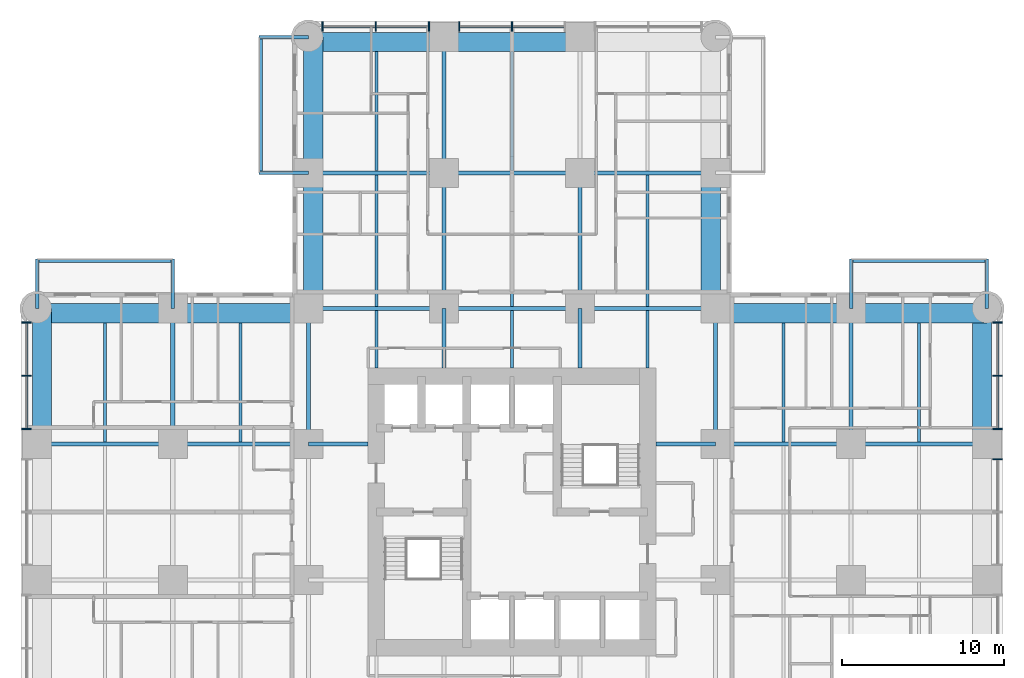
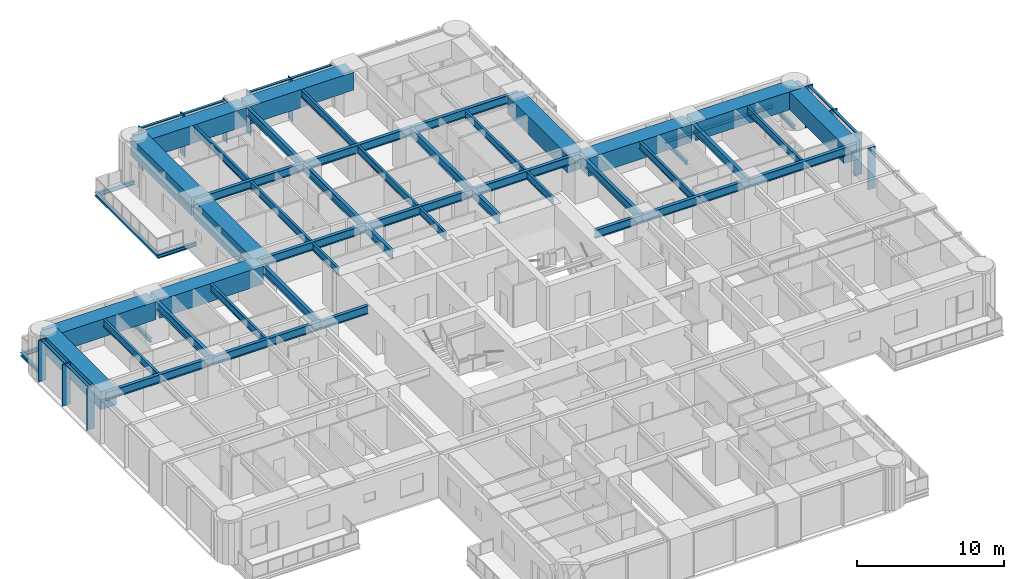
# One storey, part 4 of 17: 53 beams, 20 members, 3 elements without a shape of their own.
"""IFC4 building model written with IfcOpenShell, lengths in metres."""

from ifc_helpers import new_model, si_unit, direction, frame, origin, origin_2d, place, context, subcontext, project, spatial, rectangle, i_section, extrude, material, material_profile, profile_set, type_object, element, aggregate, save


model = new_model("IFC4")

# Units and contexts
model_context = context("Model", 3, precision=1e-05, world=origin(), true_north=direction((0.0, 1.0)))
body_context = subcontext(model_context, "Body", "Model", "MODEL_VIEW")
ifc_project = project(units=[si_unit("LENGTHUNIT", "METRE"), si_unit("AREAUNIT", "SQUARE_METRE"), si_unit("VOLUMEUNIT", "CUBIC_METRE"), si_unit("PLANEANGLEUNIT", "RADIAN"), si_unit("MASSUNIT", "GRAM", prefix="KILO")], contexts=[model_context])

# Site, building, storey
site_placement = place(None, origin())
site = spatial("IfcSite", under=ifc_project, at=site_placement, CompositionType="ELEMENT")
building_placement = place(site_placement, origin())
building = spatial("IfcBuilding", under=site, at=building_placement, Name="Torre Alcanfor", CompositionType="ELEMENT")
storey_placement = place(building_placement, frame((0.0, 0.0, 74.10009765625)))
storey = spatial("IfcBuildingStorey", under=building, at=storey_placement, Name="L18", CompositionType="ELEMENT", Elevation=74.10009765625)

# Beams
ifc_material_1 = material(Name="Steel ASTM A992 Grade 50", Category="steel")
ifc_material_profile_1 = material_profile(ifc_material_1, i_section(OverallWidth=0.205322265625, OverallDepth=0.309814453125, WebThickness=0.00927734375, FlangeThickness=0.016357421875, at=origin_2d()), Name="W12x50")
ifc_profile_set_1 = profile_set([ifc_material_profile_1], Name="Steel ASTM A992 Grade 50")
beam_type_1 = type_object("IfcBeamType", Name="Balcony cantilever beam W12x50", PredefinedType="BEAM", material=ifc_profile_set_1)
for number, where, z_axis, x_axis, name in (
    (1, (16.800048828125, 50.39990234375, -0.35498046875), (-1.0, 0.0, 0.0), (0.0, -1.0, 0.0), "Balcony cantilever beam L18-N1 1"),
    (2, (16.800048828125, 58.800048828125, -0.35498046875), (-1.0, 0.0, 0.0), (0.0, -1.0, 0.0), "Balcony cantilever beam L18-N1 2"),
    (3, (50.39990234375, 42.0, -0.35498046875), (0.0, 1.0, 0.0), (-1.0, 0.0, 0.0), "Balcony cantilever beam L18-E1 1"),
    (4, (58.800048828125, 42.0, -0.35498046875), (0.0, 1.0, 0.0), (-1.0, 0.0, 0.0), "Balcony cantilever beam L18-E1 2"),
    (5, (8.39990234375, 42.0, -0.35498046875), (0.0, 1.0, 0.0), (-1.0, 0.0, 0.0), "Balcony cantilever beam L18-W2 1"),
    (6, (0.0, 42.0, -0.35498046875), (0.0, 1.0, 0.0), (-1.0, 0.0, 0.0), "Balcony cantilever beam L18-W2 2"),
):
    element("IfcBeam", number, at=place(storey_placement, frame(where, z_axis=z_axis, x_axis=x_axis)), inside=storey, type_object=beam_type_1, Name=name, PredefinedType="BEAM", context=body_context, shape_type="SweptSolid", body=[
        extrude(i_section(OverallWidth=0.205322265625, OverallDepth=0.309814453125, WebThickness=0.00927734375, FlangeThickness=0.016357421875, at=origin_2d()), origin(), (0.0, 0.0, 1.0), 3.050048828125),
    ])
ifc_material_2 = material(Name="Steel ASTM A992 Grade 50", Category="steel")
ifc_material_profile_2 = material_profile(ifc_material_2, i_section(OverallWidth=0.203369140625, OverallDepth=0.30224609375, WebThickness=0.007568359375, FlangeThickness=0.01318359375, at=origin_2d()), Name="W12x40")
ifc_profile_set_2 = profile_set([ifc_material_profile_2], Name="Steel ASTM A992 Grade 50")
beam_type_2 = type_object("IfcBeamType", Name="Balcony edge trimmer W12x40", PredefinedType="BEAM", material=ifc_profile_set_2)
for number, where, z_axis, x_axis, name in (
    (7, (13.851806640625, 50.39990234375, -0.351318359375), (0.0, 1.0, 0.0), (-1.0, 0.0, 0.0), "Balcony edge trimmer L18-N1"),
    (8, (50.39990234375, 44.9482421875, -0.351318359375), (1.0, 0.0, 0.0), (0.0, 1.0, 0.0), "Balcony edge trimmer L18-E1"),
):
    element("IfcBeam", number, at=place(storey_placement, frame(where, z_axis=z_axis, x_axis=x_axis)), inside=storey, type_object=beam_type_2, Name=name, PredefinedType="BEAM", context=body_context, shape_type="SweptSolid", body=[
        extrude(i_section(OverallWidth=0.203369140625, OverallDepth=0.30224609375, WebThickness=0.007568359375, FlangeThickness=0.01318359375, at=origin_2d()), origin(), (0.0, 0.0, 1.0), 8.400146484375),
    ])
beam_1_placement = place(storey_placement, frame((8.39990234375, 44.9482421875, -0.351318359375), z_axis=(-1.0, 0.0, 0.0), x_axis=(0.0, -1.0, 0.0)))
element("IfcBeam", 9, at=beam_1_placement, inside=storey, type_object=beam_type_2, Name="Balcony edge trimmer L18-W2", PredefinedType="BEAM", context=body_context, shape_type="SweptSolid", body=[
    extrude(i_section(OverallWidth=0.203369140625, OverallDepth=0.30224609375, WebThickness=0.007568359375, FlangeThickness=0.01318359375, at=origin_2d()), origin(), (0.0, 0.0, 1.0), 8.39990234375),
])

# Curtain wall, members
ifc_material_3 = material(Name="Aluminium and glass", Category="aluminium")
curtain_wall_type = type_object("IfcCurtainWallType", Name="CW-A unitised apartment glazing with vertical FIN", PredefinedType="NOTDEFINED", material=ifc_material_3)
curtain_wall_1_placement = place(storey_placement, origin())
curtain_wall_1 = element("IfcCurtainWall", 10, at=curtain_wall_1_placement, inside=storey, type_object=curtain_wall_type, Name="Curtain wall CW-A L18 2", PredefinedType="NOTDEFINED")
ifc_material_4 = material(Name="Bronze anodised aluminium", Category="aluminium")
ifc_material_profile_3 = material_profile(ifc_material_4, rectangle(XDim=0.60009765625, YDim=0.06494140625, at=origin_2d()), Name="CW-A mullion 65x600")
ifc_profile_set_3 = profile_set([ifc_material_profile_3], Name="Bronze anodised aluminium")
member_type_1 = type_object("IfcMemberType", Name="CW-A mullion with vertical FIN 65x600", PredefinedType="MULLION", material=ifc_profile_set_3)
member_1_placement = place(storey_placement, frame((-0.64990234375, 41.133056640625, 0.0), z_axis=(0.0, 0.0, 1.0), x_axis=(1.0, 0.0, 0.0)))
member_1 = element("IfcMember", 11, at=member_1_placement, type_object=member_type_1, Name="CW-A mullion 1.1", PredefinedType="MULLION", context=body_context, shape_type="SweptSolid", body=[
    extrude(rectangle(XDim=0.60009765625, YDim=0.06494140625, at=origin_2d()), origin(), (0.0, 0.0, 1.0), 3.449951171875),
])
member_2_placement = place(storey_placement, frame((-0.64990234375, 37.835205078125, 0.0), z_axis=(0.0, 0.0, 1.0), x_axis=(1.0, 0.0, 0.0)))
member_2 = element("IfcMember", 12, at=member_2_placement, type_object=member_type_1, Name="CW-A mullion 1.2", PredefinedType="MULLION", context=body_context, shape_type="SweptSolid", body=[
    extrude(rectangle(XDim=0.60009765625, YDim=0.06494140625, at=origin_2d()), origin(), (0.0, 0.0, 1.0), 3.449951171875),
])
member_3_placement = place(storey_placement, frame((-0.64990234375, 34.53759765625, 0.0), z_axis=(0.0, 0.0, 1.0), x_axis=(1.0, 0.0, 0.0)))
member_3 = element("IfcMember", 13, at=member_3_placement, type_object=member_type_1, Name="CW-A mullion 1.3", PredefinedType="MULLION", context=body_context, shape_type="SweptSolid", body=[
    extrude(rectangle(XDim=0.60009765625, YDim=0.06494140625, at=origin_2d()), origin(), (0.0, 0.0, 1.0), 3.449951171875),
])

curtain_wall_2_placement = place(storey_placement, origin())
curtain_wall_2 = element("IfcCurtainWall", 14, at=curtain_wall_2_placement, inside=storey, type_object=curtain_wall_type, Name="Curtain wall CW-A L18 8", PredefinedType="NOTDEFINED")
member_4_placement = place(storey_placement, frame((59.449951171875, 32.66259765625, 0.0), z_axis=(0.0, 0.0, 1.0), x_axis=(-1.0, 0.0, 0.0)))
member_4 = element("IfcMember", 15, at=member_4_placement, type_object=member_type_1, Name="CW-A mullion 2.3", PredefinedType="MULLION", context=body_context, shape_type="SweptSolid", body=[
    extrude(rectangle(XDim=0.60009765625, YDim=0.06494140625, at=origin_2d()), origin(), (0.0, 0.0, 1.0), 3.449951171875),
])
member_5_placement = place(storey_placement, frame((59.449951171875, 34.53759765625, 0.0), z_axis=(0.0, 0.0, 1.0), x_axis=(-1.0, 0.0, 0.0)))
member_5 = element("IfcMember", 16, at=member_5_placement, type_object=member_type_1, Name="CW-A mullion 3.1", PredefinedType="MULLION", context=body_context, shape_type="SweptSolid", body=[
    extrude(rectangle(XDim=0.60009765625, YDim=0.06494140625, at=origin_2d()), origin(), (0.0, 0.0, 1.0), 3.449951171875),
])
member_6_placement = place(storey_placement, frame((59.449951171875, 37.835205078125, 0.0), z_axis=(0.0, 0.0, 1.0), x_axis=(-1.0, 0.0, 0.0)))
member_6 = element("IfcMember", 17, at=member_6_placement, type_object=member_type_1, Name="CW-A mullion 3.2", PredefinedType="MULLION", context=body_context, shape_type="SweptSolid", body=[
    extrude(rectangle(XDim=0.60009765625, YDim=0.06494140625, at=origin_2d()), origin(), (0.0, 0.0, 1.0), 3.449951171875),
])
member_7_placement = place(storey_placement, frame((59.449951171875, 41.133056640625, 0.0), z_axis=(0.0, 0.0, 1.0), x_axis=(-1.0, 0.0, 0.0)))
member_7 = element("IfcMember", 18, at=member_7_placement, type_object=member_type_1, Name="CW-A mullion 3.3", PredefinedType="MULLION", context=body_context, shape_type="SweptSolid", body=[
    extrude(rectangle(XDim=0.60009765625, YDim=0.06494140625, at=origin_2d()), origin(), (0.0, 0.0, 1.0), 3.449951171875),
])

curtain_wall_3_placement = place(storey_placement, origin())
curtain_wall_3 = element("IfcCurtainWall", 19, at=curtain_wall_3_placement, inside=storey, type_object=curtain_wall_type, Name="Curtain wall CW-A L18 11", PredefinedType="NOTDEFINED")
member_8_placement = place(storey_placement, frame((29.39990234375, 59.449951171875, 0.0), z_axis=(0.0, 0.0, 1.0), x_axis=(0.0, -1.0, 0.0)))
member_8 = element("IfcMember", 20, at=member_8_placement, type_object=member_type_1, Name="CW-A mullion 2.2", PredefinedType="MULLION", context=body_context, shape_type="SweptSolid", body=[
    extrude(rectangle(XDim=0.60009765625, YDim=0.06494140625, at=origin_2d()), origin(), (0.0, 0.0, 1.0), 3.449951171875),
])
member_9_placement = place(storey_placement, frame((26.137451171875, 59.449951171875, 0.0), z_axis=(0.0, 0.0, 1.0), x_axis=(0.0, -1.0, 0.0)))
member_9 = element("IfcMember", 21, at=member_9_placement, type_object=member_type_1, Name="CW-A mullion 2.3", PredefinedType="MULLION", context=body_context, shape_type="SweptSolid", body=[
    extrude(rectangle(XDim=0.60009765625, YDim=0.06494140625, at=origin_2d()), origin(), (0.0, 0.0, 1.0), 3.449951171875),
])
member_10_placement = place(storey_placement, frame((24.262451171875, 59.449951171875, 0.0), z_axis=(0.0, 0.0, 1.0), x_axis=(0.0, -1.0, 0.0)))
member_10 = element("IfcMember", 22, at=member_10_placement, type_object=member_type_1, Name="CW-A mullion 3.1", PredefinedType="MULLION", context=body_context, shape_type="SweptSolid", body=[
    extrude(rectangle(XDim=0.60009765625, YDim=0.06494140625, at=origin_2d()), origin(), (0.0, 0.0, 1.0), 3.449951171875),
])
member_11_placement = place(storey_placement, frame((20.96484375, 59.449951171875, 0.0), z_axis=(0.0, 0.0, 1.0), x_axis=(0.0, -1.0, 0.0)))
member_11 = element("IfcMember", 23, at=member_11_placement, type_object=member_type_1, Name="CW-A mullion 3.2", PredefinedType="MULLION", context=body_context, shape_type="SweptSolid", body=[
    extrude(rectangle(XDim=0.60009765625, YDim=0.06494140625, at=origin_2d()), origin(), (0.0, 0.0, 1.0), 3.449951171875),
])
member_12_placement = place(storey_placement, frame((17.6669921875, 59.449951171875, 0.0), z_axis=(0.0, 0.0, 1.0), x_axis=(0.0, -1.0, 0.0)))
member_12 = element("IfcMember", 24, at=member_12_placement, type_object=member_type_1, Name="CW-A mullion 3.3", PredefinedType="MULLION", context=body_context, shape_type="SweptSolid", body=[
    extrude(rectangle(XDim=0.60009765625, YDim=0.06494140625, at=origin_2d()), origin(), (0.0, 0.0, 1.0), 3.449951171875),
])

# Member
ifc_material_5 = material(Name="Extruded aluminium", Category="aluminium")
ifc_material_profile_4 = material_profile(ifc_material_5, rectangle(XDim=0.199951171875, YDim=0.06494140625, at=origin_2d()), Name="CW-A transom 200x65")
ifc_profile_set_4 = profile_set([ifc_material_profile_4], Name="Extruded aluminium")
member_type_2 = type_object("IfcMemberType", Name="CW-A transom 65x200", PredefinedType="USERDEFINED", material=ifc_profile_set_4)
member_13_placement = place(storey_placement, frame((-0.64990234375, 41.1005859375, 3.41748046875), z_axis=(0.0, -1.0, 0.0), x_axis=(1.0, 0.0, 0.0)))
member_13 = element("IfcMember", 25, at=member_13_placement, type_object=member_type_2, Name="CW-A transom 1.1.2", ObjectType="TRANSOM", PredefinedType="USERDEFINED", context=body_context, shape_type="SweptSolid", body=[
    extrude(rectangle(XDim=0.199951171875, YDim=0.06494140625, at=origin_2d()), origin(), (0.0, 0.0, 1.0), 3.23291015625),
])

member_14_placement = place(storey_placement, frame((-0.64990234375, 37.802734375, 3.41748046875), z_axis=(0.0, -1.0, 0.0), x_axis=(1.0, 0.0, 0.0)))
member_14 = element("IfcMember", 26, at=member_14_placement, type_object=member_type_2, Name="CW-A transom 1.2.2", ObjectType="TRANSOM", PredefinedType="USERDEFINED", context=body_context, shape_type="SweptSolid", body=[
    extrude(rectangle(XDim=0.199951171875, YDim=0.06494140625, at=origin_2d()), origin(), (0.0, 0.0, 1.0), 3.232666015625),
])

aggregate(curtain_wall_1, [member_1, member_2, member_3, member_13, member_14])

member_15_placement = place(storey_placement, frame((59.449951171875, 34.570068359375, 3.41748046875), z_axis=(0.0, 1.0, 0.0), x_axis=(-1.0, 0.0, 0.0)))
member_15 = element("IfcMember", 27, at=member_15_placement, type_object=member_type_2, Name="CW-A transom 3.1.2", ObjectType="TRANSOM", PredefinedType="USERDEFINED", context=body_context, shape_type="SweptSolid", body=[
    extrude(rectangle(XDim=0.199951171875, YDim=0.06494140625, at=origin_2d()), origin(), (0.0, 0.0, 1.0), 3.232666015625),
])

member_16_placement = place(storey_placement, frame((59.449951171875, 37.86767578125, 3.41748046875), z_axis=(0.0, 1.0, 0.0), x_axis=(-1.0, 0.0, 0.0)))
member_16 = element("IfcMember", 28, at=member_16_placement, type_object=member_type_2, Name="CW-A transom 3.2.2", ObjectType="TRANSOM", PredefinedType="USERDEFINED", context=body_context, shape_type="SweptSolid", body=[
    extrude(rectangle(XDim=0.199951171875, YDim=0.06494140625, at=origin_2d()), origin(), (0.0, 0.0, 1.0), 3.23291015625),
])

aggregate(curtain_wall_2, [member_4, member_5, member_6, member_7, member_15, member_16])

member_17_placement = place(storey_placement, frame((32.6298828125, 59.449951171875, 3.41748046875), z_axis=(-1.0, 0.0, 0.0), x_axis=(0.0, -1.0, 0.0)))
member_17 = element("IfcMember", 29, at=member_17_placement, type_object=member_type_2, Name="CW-A transom 2.1.2", ObjectType="TRANSOM", PredefinedType="USERDEFINED", context=body_context, shape_type="SweptSolid", body=[
    extrude(rectangle(XDim=0.199951171875, YDim=0.06494140625, at=origin_2d()), origin(), (0.0, 0.0, 1.0), 3.197265625),
])

member_18_placement = place(storey_placement, frame((29.367431640625, 59.449951171875, 3.41748046875), z_axis=(-1.0, 0.0, 0.0), x_axis=(0.0, -1.0, 0.0)))
member_18 = element("IfcMember", 30, at=member_18_placement, type_object=member_type_2, Name="CW-A transom 2.2.2", ObjectType="TRANSOM", PredefinedType="USERDEFINED", context=body_context, shape_type="SweptSolid", body=[
    extrude(rectangle(XDim=0.199951171875, YDim=0.06494140625, at=origin_2d()), origin(), (0.0, 0.0, 1.0), 3.197509765625),
])

member_19_placement = place(storey_placement, frame((24.22998046875, 59.449951171875, 3.41748046875), z_axis=(-1.0, 0.0, 0.0), x_axis=(0.0, -1.0, 0.0)))
member_19 = element("IfcMember", 31, at=member_19_placement, type_object=member_type_2, Name="CW-A transom 3.1.2", ObjectType="TRANSOM", PredefinedType="USERDEFINED", context=body_context, shape_type="SweptSolid", body=[
    extrude(rectangle(XDim=0.199951171875, YDim=0.06494140625, at=origin_2d()), origin(), (0.0, 0.0, 1.0), 3.232666015625),
])

member_20_placement = place(storey_placement, frame((20.93212890625, 59.449951171875, 3.41748046875), z_axis=(-1.0, 0.0, 0.0), x_axis=(0.0, -1.0, 0.0)))
member_20 = element("IfcMember", 32, at=member_20_placement, type_object=member_type_2, Name="CW-A transom 3.2.2", ObjectType="TRANSOM", PredefinedType="USERDEFINED", context=body_context, shape_type="SweptSolid", body=[
    extrude(rectangle(XDim=0.199951171875, YDim=0.06494140625, at=origin_2d()), origin(), (0.0, 0.0, 1.0), 3.232666015625),
])

aggregate(curtain_wall_3, [member_8, member_9, member_17, member_18, member_10, member_11, member_12, member_19, member_20])

# Beams
ifc_material_6 = material(Name="Steel ASTM A992 Grade 50", Category="steel")
ifc_material_profile_5 = material_profile(ifc_material_6, i_section(OverallWidth=0.25390625, OverallDepth=0.683349609375, WebThickness=0.012451171875, FlangeThickness=0.01904296875, at=origin_2d()), Name="W27x94")
ifc_profile_set_5 = profile_set([ifc_material_profile_5], Name="Steel ASTM A992 Grade 50")
beam_type_3 = type_object("IfcBeamType", Name="Girder W27x94", PredefinedType="BEAM", material=ifc_profile_set_5)
beam_2_placement = place(storey_placement, frame((0.0, 33.60009765625, 3.108154296875), z_axis=(1.0, 0.0, 0.0), x_axis=(0.0, 1.0, 0.0)))
element("IfcBeam", 33, at=beam_2_placement, inside=storey, type_object=beam_type_3, Name="Beam 1G-2G under L19", PredefinedType="BEAM", context=body_context, shape_type="SweptSolid", body=[
    extrude(i_section(OverallWidth=0.25390625, OverallDepth=0.683349609375, WebThickness=0.012451171875, FlangeThickness=0.01904296875, at=origin_2d()), origin(), (0.0, 0.0, 1.0), 8.39990234375),
])
beam_3_placement = place(storey_placement, frame((8.39990234375, 33.60009765625, 3.108154296875), z_axis=(1.0, 0.0, 0.0), x_axis=(0.0, 1.0, 0.0)))
element("IfcBeam", 34, at=beam_3_placement, inside=storey, type_object=beam_type_3, Name="Beam 2G-3G under L19", PredefinedType="BEAM", context=body_context, shape_type="SweptSolid", body=[
    extrude(i_section(OverallWidth=0.25390625, OverallDepth=0.683349609375, WebThickness=0.012451171875, FlangeThickness=0.01904296875, at=origin_2d()), origin(), (0.0, 0.0, 1.0), 8.400146484375),
])
beam_4_placement = place(storey_placement, frame((42.0, 33.60009765625, 3.108154296875), z_axis=(1.0, 0.0, 0.0), x_axis=(0.0, 1.0, 0.0)))
element("IfcBeam", 35, at=beam_4_placement, inside=storey, type_object=beam_type_3, Name="Beam 6G-7G under L19", PredefinedType="BEAM", context=body_context, shape_type="SweptSolid", body=[
    extrude(i_section(OverallWidth=0.25390625, OverallDepth=0.683349609375, WebThickness=0.012451171875, FlangeThickness=0.01904296875, at=origin_2d()), origin(), (0.0, 0.0, 1.0), 8.39990234375),
])
beam_5_placement = place(storey_placement, frame((50.39990234375, 33.60009765625, 3.108154296875), z_axis=(1.0, 0.0, 0.0), x_axis=(0.0, 1.0, 0.0)))
element("IfcBeam", 36, at=beam_5_placement, inside=storey, type_object=beam_type_3, Name="Beam 7G-8G under L19", PredefinedType="BEAM", context=body_context, shape_type="SweptSolid", body=[
    extrude(i_section(OverallWidth=0.25390625, OverallDepth=0.683349609375, WebThickness=0.012451171875, FlangeThickness=0.01904296875, at=origin_2d()), origin(), (0.0, 0.0, 1.0), 8.400146484375),
])
beam_6_placement = place(storey_placement, frame((16.800048828125, 42.0, 3.108154296875), z_axis=(1.0, 0.0, 0.0), x_axis=(0.0, 1.0, 0.0)))
element("IfcBeam", 37, at=beam_6_placement, inside=storey, type_object=beam_type_3, Name="Beam 3H-4H under L19", PredefinedType="BEAM", context=body_context, shape_type="SweptSolid", body=[
    extrude(i_section(OverallWidth=0.25390625, OverallDepth=0.683349609375, WebThickness=0.012451171875, FlangeThickness=0.01904296875, at=origin_2d()), origin(), (0.0, 0.0, 1.0), 8.39990234375),
])
beam_7_placement = place(storey_placement, frame((25.199951171875, 42.0, 3.108154296875), z_axis=(1.0, 0.0, 0.0), x_axis=(0.0, 1.0, 0.0)))
element("IfcBeam", 38, at=beam_7_placement, inside=storey, type_object=beam_type_3, Name="Beam 4H-5H under L19", PredefinedType="BEAM", context=body_context, shape_type="SweptSolid", body=[
    extrude(i_section(OverallWidth=0.25390625, OverallDepth=0.683349609375, WebThickness=0.012451171875, FlangeThickness=0.01904296875, at=origin_2d()), origin(), (0.0, 0.0, 1.0), 8.400146484375),
])
for number, where, z_axis, x_axis, name in (
    (39, (33.60009765625, 42.0, 3.108154296875), (1.0, 0.0, 0.0), (0.0, 1.0, 0.0), "Beam 5H-6H under L19"),
    (40, (16.800048828125, 50.39990234375, 3.108154296875), (1.0, 0.0, 0.0), (0.0, 1.0, 0.0), "Beam 3J-4J under L19"),
):
    element("IfcBeam", number, at=place(storey_placement, frame(where, z_axis=z_axis, x_axis=x_axis)), inside=storey, type_object=beam_type_3, Name=name, PredefinedType="BEAM", context=body_context, shape_type="SweptSolid", body=[
        extrude(i_section(OverallWidth=0.25390625, OverallDepth=0.683349609375, WebThickness=0.012451171875, FlangeThickness=0.01904296875, at=origin_2d()), origin(), (0.0, 0.0, 1.0), 8.39990234375),
    ])
beam_8_placement = place(storey_placement, frame((25.199951171875, 50.39990234375, 3.108154296875), z_axis=(1.0, 0.0, 0.0), x_axis=(0.0, 1.0, 0.0)))
element("IfcBeam", 41, at=beam_8_placement, inside=storey, type_object=beam_type_3, Name="Beam 4J-5J under L19", PredefinedType="BEAM", context=body_context, shape_type="SweptSolid", body=[
    extrude(i_section(OverallWidth=0.25390625, OverallDepth=0.683349609375, WebThickness=0.012451171875, FlangeThickness=0.01904296875, at=origin_2d()), origin(), (0.0, 0.0, 1.0), 8.400146484375),
])
for number, where, z_axis, x_axis, name in (
    (42, (33.60009765625, 50.39990234375, 3.108154296875), (1.0, 0.0, 0.0), (0.0, 1.0, 0.0), "Beam 5J-6J under L19"),
    (43, (8.39990234375, 33.60009765625, 3.108154296875), (0.0, 1.0, 0.0), (-1.0, 0.0, 0.0), "Beam 2G-2H under L19"),
    (44, (16.800048828125, 33.60009765625, 3.108154296875), (0.0, 1.0, 0.0), (-1.0, 0.0, 0.0), "Beam 3G-3H under L19"),
    (45, (25.199951171875, 42.0, 3.108154296875), (0.0, 1.0, 0.0), (-1.0, 0.0, 0.0), "Beam 4H-4J under L19"),
):
    element("IfcBeam", number, at=place(storey_placement, frame(where, z_axis=z_axis, x_axis=x_axis)), inside=storey, type_object=beam_type_3, Name=name, PredefinedType="BEAM", context=body_context, shape_type="SweptSolid", body=[
        extrude(i_section(OverallWidth=0.25390625, OverallDepth=0.683349609375, WebThickness=0.012451171875, FlangeThickness=0.01904296875, at=origin_2d()), origin(), (0.0, 0.0, 1.0), 8.39990234375),
    ])
beam_9_placement = place(storey_placement, frame((25.199951171875, 50.39990234375, 3.108154296875), z_axis=(0.0, 1.0, 0.0), x_axis=(-1.0, 0.0, 0.0)))
element("IfcBeam", 46, at=beam_9_placement, inside=storey, type_object=beam_type_3, Name="Beam 4J-4K under L19", PredefinedType="BEAM", context=body_context, shape_type="SweptSolid", body=[
    extrude(i_section(OverallWidth=0.25390625, OverallDepth=0.683349609375, WebThickness=0.012451171875, FlangeThickness=0.01904296875, at=origin_2d()), origin(), (0.0, 0.0, 1.0), 8.400146484375),
])
for number, where, z_axis, x_axis, name in (
    (47, (33.60009765625, 42.0, 3.108154296875), (0.0, 1.0, 0.0), (-1.0, 0.0, 0.0), "Beam 5H-5J under L19"),
    (48, (42.0, 33.60009765625, 3.108154296875), (0.0, 1.0, 0.0), (-1.0, 0.0, 0.0), "Beam 6G-6H under L19"),
    (49, (50.39990234375, 33.60009765625, 3.108154296875), (0.0, 1.0, 0.0), (-1.0, 0.0, 0.0), "Beam 7G-7H under L19"),
):
    element("IfcBeam", number, at=place(storey_placement, frame(where, z_axis=z_axis, x_axis=x_axis)), inside=storey, type_object=beam_type_3, Name=name, PredefinedType="BEAM", context=body_context, shape_type="SweptSolid", body=[
        extrude(i_section(OverallWidth=0.25390625, OverallDepth=0.683349609375, WebThickness=0.012451171875, FlangeThickness=0.01904296875, at=origin_2d()), origin(), (0.0, 0.0, 1.0), 8.39990234375),
    ])
ifc_material_7 = material(Name="Steel ASTM A992 Grade 50", Category="steel")
ifc_material_profile_6 = material_profile(ifc_material_7, i_section(OverallWidth=0.25390625, OverallDepth=0.683349609375, WebThickness=0.012451171875, FlangeThickness=0.01904296875, at=origin_2d()), Name="W27x94")
ifc_profile_set_6 = profile_set([ifc_material_profile_6], Name="Steel ASTM A992 Grade 50")
beam_type_4 = type_object("IfcBeamType", Name="Girder, part bay W27x94", PredefinedType="BEAM", material=ifc_profile_set_6)
for number, where, z_axis, x_axis, name in (
    (50, (25.199951171875, 42.0, 3.108154296875), (0.0, -1.0, 0.0), (1.0, 0.0, 0.0), "Beam 4H-438_3 under L19"),
    (51, (33.60009765625, 42.0, 3.108154296875), (0.0, -1.0, 0.0), (1.0, 0.0, 0.0), "Beam 5H-538_3 under L19"),
    (52, (16.800048828125, 33.60009765625, 3.108154296875), (1.0, 0.0, 0.0), (0.0, 1.0, 0.0), "Beam 3G-20_5G under L19"),
    (53, (42.0, 33.60009765625, 3.108154296875), (-1.0, 0.0, 0.0), (0.0, -1.0, 0.0), "Beam 6G-38_3G under L19"),
):
    element("IfcBeam", number, at=place(storey_placement, frame(where, z_axis=z_axis, x_axis=x_axis)), inside=storey, type_object=beam_type_4, Name=name, PredefinedType="BEAM", context=body_context, shape_type="SweptSolid", body=[
        extrude(i_section(OverallWidth=0.25390625, OverallDepth=0.683349609375, WebThickness=0.012451171875, FlangeThickness=0.01904296875, at=origin_2d()), origin(), (0.0, 0.0, 1.0), 3.699951171875),
    ])
ifc_material_8 = material(Name="Concrete f'c 70 MPa", Category="concrete")
ifc_material_profile_7 = material_profile(ifc_material_8, rectangle(XDim=1.199951171875, YDim=1.5, at=origin_2d()), Name="1200x1500")
ifc_profile_set_7 = profile_set([ifc_material_profile_7], Name="Concrete f'c 70 MPa")
beam_type_5 = type_object("IfcBeamType", Name="RC perimeter beam 1200x1500", PredefinedType="BEAM", material=ifc_profile_set_7)
beam_10_placement = place(storey_placement, frame((0.0, 41.699951171875, 2.699951171875), z_axis=(1.0, 0.0, 0.0), x_axis=(0.0, 1.0, 0.0)))
element("IfcBeam", 54, at=beam_10_placement, inside=storey, type_object=beam_type_5, Name="Beam 1H-2H under L19", PredefinedType="BEAM", context=body_context, shape_type="SweptSolid", body=[
    extrude(rectangle(XDim=1.199951171875, YDim=1.5, at=origin_2d()), origin(), (0.0, 0.0, 1.0), 8.27294921875),
])
for number, where, z_axis, x_axis, name in (
    (55, (8.527099609375, 41.699951171875, 2.699951171875), (1.0, 0.0, 0.0), (0.0, 1.0, 0.0), "Beam 2H-3H under L19"),
    (56, (42.126953125, 41.699951171875, 2.699951171875), (1.0, 0.0, 0.0), (0.0, 1.0, 0.0), "Beam 6H-7H under L19"),
):
    element("IfcBeam", number, at=place(storey_placement, frame(where, z_axis=z_axis, x_axis=x_axis)), inside=storey, type_object=beam_type_5, Name=name, PredefinedType="BEAM", context=body_context, shape_type="SweptSolid", body=[
        extrude(rectangle(XDim=1.199951171875, YDim=1.5, at=origin_2d()), origin(), (0.0, 0.0, 1.0), 8.14599609375),
    ])
for number, where, z_axis, x_axis, name in (
    (57, (50.527099609375, 41.699951171875, 2.699951171875), (1.0, 0.0, 0.0), (0.0, 1.0, 0.0), "Beam 7H-8H under L19"),
    (58, (16.800048828125, 58.5, 2.699951171875), (1.0, 0.0, 0.0), (0.0, 1.0, 0.0), "Beam 3K-4K under L19"),
):
    element("IfcBeam", number, at=place(storey_placement, frame(where, z_axis=z_axis, x_axis=x_axis)), inside=storey, type_object=beam_type_5, Name=name, PredefinedType="BEAM", context=body_context, shape_type="SweptSolid", body=[
        extrude(rectangle(XDim=1.199951171875, YDim=1.5, at=origin_2d()), origin(), (0.0, 0.0, 1.0), 8.27294921875),
    ])
beam_11_placement = place(storey_placement, frame((25.326904296875, 58.5, 2.699951171875), z_axis=(1.0, 0.0, 0.0), x_axis=(0.0, 1.0, 0.0)))
element("IfcBeam", 59, at=beam_11_placement, inside=storey, type_object=beam_type_5, Name="Beam 4K-5K under L19", PredefinedType="BEAM", context=body_context, shape_type="SweptSolid", body=[
    extrude(rectangle(XDim=1.199951171875, YDim=1.5, at=origin_2d()), origin(), (0.0, 0.0, 1.0), 8.14599609375),
])
beam_12_placement = place(storey_placement, frame((0.300048828125, 33.72705078125, 2.699951171875), z_axis=(0.0, 1.0, 0.0), x_axis=(-1.0, 0.0, 0.0)))
element("IfcBeam", 60, at=beam_12_placement, inside=storey, type_object=beam_type_5, Name="Beam 1G-1H under L19", PredefinedType="BEAM", context=body_context, shape_type="SweptSolid", body=[
    extrude(rectangle(XDim=1.199951171875, YDim=1.5, at=origin_2d()), origin(), (0.0, 0.0, 1.0), 8.27294921875),
])
beam_13_placement = place(storey_placement, frame((17.10009765625, 42.126953125, 2.699951171875), z_axis=(0.0, 1.0, 0.0), x_axis=(-1.0, 0.0, 0.0)))
element("IfcBeam", 61, at=beam_13_placement, inside=storey, type_object=beam_type_5, Name="Beam 3H-3J under L19", PredefinedType="BEAM", context=body_context, shape_type="SweptSolid", body=[
    extrude(rectangle(XDim=1.199951171875, YDim=1.5, at=origin_2d()), origin(), (0.0, 0.0, 1.0), 8.14599609375),
])
beam_14_placement = place(storey_placement, frame((17.10009765625, 50.527099609375, 2.699951171875), z_axis=(0.0, 1.0, 0.0), x_axis=(-1.0, 0.0, 0.0)))
element("IfcBeam", 62, at=beam_14_placement, inside=storey, type_object=beam_type_5, Name="Beam 3J-3K under L19", PredefinedType="BEAM", context=body_context, shape_type="SweptSolid", body=[
    extrude(rectangle(XDim=1.199951171875, YDim=1.5, at=origin_2d()), origin(), (0.0, 0.0, 1.0), 8.27294921875),
])
beam_15_placement = place(storey_placement, frame((41.699951171875, 42.126953125, 2.699951171875), z_axis=(0.0, 1.0, 0.0), x_axis=(-1.0, 0.0, 0.0)))
element("IfcBeam", 63, at=beam_15_placement, inside=storey, type_object=beam_type_5, Name="Beam 6H-6J under L19", PredefinedType="BEAM", context=body_context, shape_type="SweptSolid", body=[
    extrude(rectangle(XDim=1.199951171875, YDim=1.5, at=origin_2d()), origin(), (0.0, 0.0, 1.0), 8.14599609375),
])
beam_16_placement = place(storey_placement, frame((58.5, 33.72705078125, 2.699951171875), z_axis=(0.0, 1.0, 0.0), x_axis=(-1.0, 0.0, 0.0)))
element("IfcBeam", 64, at=beam_16_placement, inside=storey, type_object=beam_type_5, Name="Beam 8G-8H under L19", PredefinedType="BEAM", context=body_context, shape_type="SweptSolid", body=[
    extrude(rectangle(XDim=1.199951171875, YDim=1.5, at=origin_2d()), origin(), (0.0, 0.0, 1.0), 8.27294921875),
])
ifc_material_9 = material(Name="Steel ASTM A992 Grade 50", Category="steel")
ifc_material_profile_8 = material_profile(ifc_material_9, i_section(OverallWidth=0.1787109375, OverallDepth=0.60205078125, WebThickness=0.010986328125, FlangeThickness=0.014892578125, at=origin_2d()), Name="W24x62")
ifc_profile_set_8 = profile_set([ifc_material_profile_8], Name="Steel ASTM A992 Grade 50")
beam_type_6 = type_object("IfcBeamType", Name="Secondary beam W24x62", PredefinedType="BEAM", material=ifc_profile_set_8)
for number, where, z_axis, x_axis, name in (
    (65, (4.199951171875, 33.72705078125, 3.14892578125), (0.0, 1.0, 0.0), (-1.0, 0.0, 0.0), "Beam 4_2G-4_2H under L19"),
    (66, (12.60009765625, 33.72705078125, 3.14892578125), (0.0, 1.0, 0.0), (-1.0, 0.0, 0.0), "Beam 12_6G-12_6H under L19"),
):
    element("IfcBeam", number, at=place(storey_placement, frame(where, z_axis=z_axis, x_axis=x_axis)), inside=storey, type_object=beam_type_6, Name=name, PredefinedType="BEAM", context=body_context, shape_type="SweptSolid", body=[
        extrude(i_section(OverallWidth=0.1787109375, OverallDepth=0.60205078125, WebThickness=0.010986328125, FlangeThickness=0.014892578125, at=origin_2d()), origin(), (0.0, 0.0, 1.0), 7.373046875),
    ])
beam_17_placement = place(storey_placement, frame((21.0, 42.126953125, 3.14892578125), z_axis=(0.0, 1.0, 0.0), x_axis=(-1.0, 0.0, 0.0)))
element("IfcBeam", 67, at=beam_17_placement, inside=storey, type_object=beam_type_6, Name="Beam 21H-21J under L19", PredefinedType="BEAM", context=body_context, shape_type="SweptSolid", body=[
    extrude(i_section(OverallWidth=0.1787109375, OverallDepth=0.60205078125, WebThickness=0.010986328125, FlangeThickness=0.014892578125, at=origin_2d()), origin(), (0.0, 0.0, 1.0), 8.14599609375),
])
beam_18_placement = place(storey_placement, frame((21.0, 50.527099609375, 3.14892578125), z_axis=(0.0, 1.0, 0.0), x_axis=(-1.0, 0.0, 0.0)))
element("IfcBeam", 68, at=beam_18_placement, inside=storey, type_object=beam_type_6, Name="Beam 21J-21K under L19", PredefinedType="BEAM", context=body_context, shape_type="SweptSolid", body=[
    extrude(i_section(OverallWidth=0.1787109375, OverallDepth=0.60205078125, WebThickness=0.010986328125, FlangeThickness=0.014892578125, at=origin_2d()), origin(), (0.0, 0.0, 1.0), 7.372802734375),
])
beam_19_placement = place(storey_placement, frame((29.39990234375, 42.126953125, 3.14892578125), z_axis=(0.0, 1.0, 0.0), x_axis=(-1.0, 0.0, 0.0)))
element("IfcBeam", 69, at=beam_19_placement, inside=storey, type_object=beam_type_6, Name="Beam 29_4H-29_4J under L19", PredefinedType="BEAM", context=body_context, shape_type="SweptSolid", body=[
    extrude(i_section(OverallWidth=0.1787109375, OverallDepth=0.60205078125, WebThickness=0.010986328125, FlangeThickness=0.014892578125, at=origin_2d()), origin(), (0.0, 0.0, 1.0), 8.14599609375),
])
beam_20_placement = place(storey_placement, frame((29.39990234375, 50.527099609375, 3.14892578125), z_axis=(0.0, 1.0, 0.0), x_axis=(-1.0, 0.0, 0.0)))
element("IfcBeam", 70, at=beam_20_placement, inside=storey, type_object=beam_type_6, Name="Beam 29_4J-29_4K under L19", PredefinedType="BEAM", context=body_context, shape_type="SweptSolid", body=[
    extrude(i_section(OverallWidth=0.1787109375, OverallDepth=0.60205078125, WebThickness=0.010986328125, FlangeThickness=0.014892578125, at=origin_2d()), origin(), (0.0, 0.0, 1.0), 7.372802734375),
])
beam_21_placement = place(storey_placement, frame((37.800048828125, 42.126953125, 3.14892578125), z_axis=(0.0, 1.0, 0.0), x_axis=(-1.0, 0.0, 0.0)))
element("IfcBeam", 71, at=beam_21_placement, inside=storey, type_object=beam_type_6, Name="Beam 37_8H-37_8J under L19", PredefinedType="BEAM", context=body_context, shape_type="SweptSolid", body=[
    extrude(i_section(OverallWidth=0.1787109375, OverallDepth=0.60205078125, WebThickness=0.010986328125, FlangeThickness=0.014892578125, at=origin_2d()), origin(), (0.0, 0.0, 1.0), 8.14599609375),
])
for number, where, z_axis, x_axis, name in (
    (72, (46.199951171875, 33.72705078125, 3.14892578125), (0.0, 1.0, 0.0), (-1.0, 0.0, 0.0), "Beam 46_2G-46_2H under L19"),
    (73, (54.60009765625, 33.72705078125, 3.14892578125), (0.0, 1.0, 0.0), (-1.0, 0.0, 0.0), "Beam 54_6G-54_6H under L19"),
):
    element("IfcBeam", number, at=place(storey_placement, frame(where, z_axis=z_axis, x_axis=x_axis)), inside=storey, type_object=beam_type_6, Name=name, PredefinedType="BEAM", context=body_context, shape_type="SweptSolid", body=[
        extrude(i_section(OverallWidth=0.1787109375, OverallDepth=0.60205078125, WebThickness=0.010986328125, FlangeThickness=0.014892578125, at=origin_2d()), origin(), (0.0, 0.0, 1.0), 7.373046875),
    ])
ifc_material_10 = material(Name="Steel ASTM A992 Grade 50", Category="steel")
ifc_material_profile_9 = material_profile(ifc_material_10, i_section(OverallWidth=0.1787109375, OverallDepth=0.60205078125, WebThickness=0.010986328125, FlangeThickness=0.014892578125, at=origin_2d()), Name="W24x62")
ifc_profile_set_9 = profile_set([ifc_material_profile_9], Name="Steel ASTM A992 Grade 50")
beam_type_7 = type_object("IfcBeamType", Name="Secondary beam, part bay W24x62", PredefinedType="BEAM", material=ifc_profile_set_9)
for number, where, z_axis, x_axis, name in (
    (74, (21.0, 38.300048828125, 3.14892578125), (0.0, 1.0, 0.0), (-1.0, 0.0, 0.0), "Beam 2138_3-21H under L19"),
    (75, (29.39990234375, 38.300048828125, 3.14892578125), (0.0, 1.0, 0.0), (-1.0, 0.0, 0.0), "Beam 29_438_3-29_4H under L19"),
    (76, (37.800048828125, 38.300048828125, 3.14892578125), (0.0, 1.0, 0.0), (-1.0, 0.0, 0.0), "Beam 37_838_3-37_8H under L19"),
):
    element("IfcBeam", number, at=place(storey_placement, frame(where, z_axis=z_axis, x_axis=x_axis)), inside=storey, type_object=beam_type_7, Name=name, PredefinedType="BEAM", context=body_context, shape_type="SweptSolid", body=[
        extrude(i_section(OverallWidth=0.1787109375, OverallDepth=0.60205078125, WebThickness=0.010986328125, FlangeThickness=0.014892578125, at=origin_2d()), origin(), (0.0, 0.0, 1.0), 3.572998046875),
    ])

save(model, "model.ifc")
